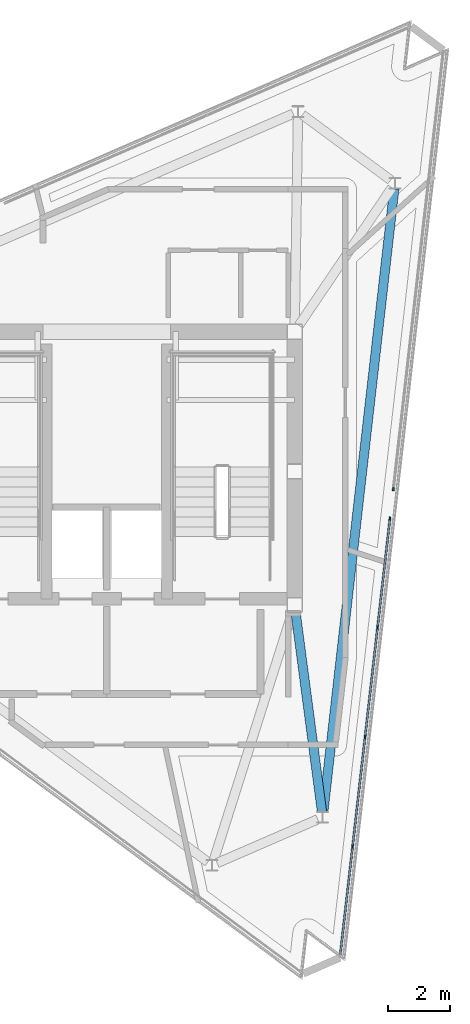
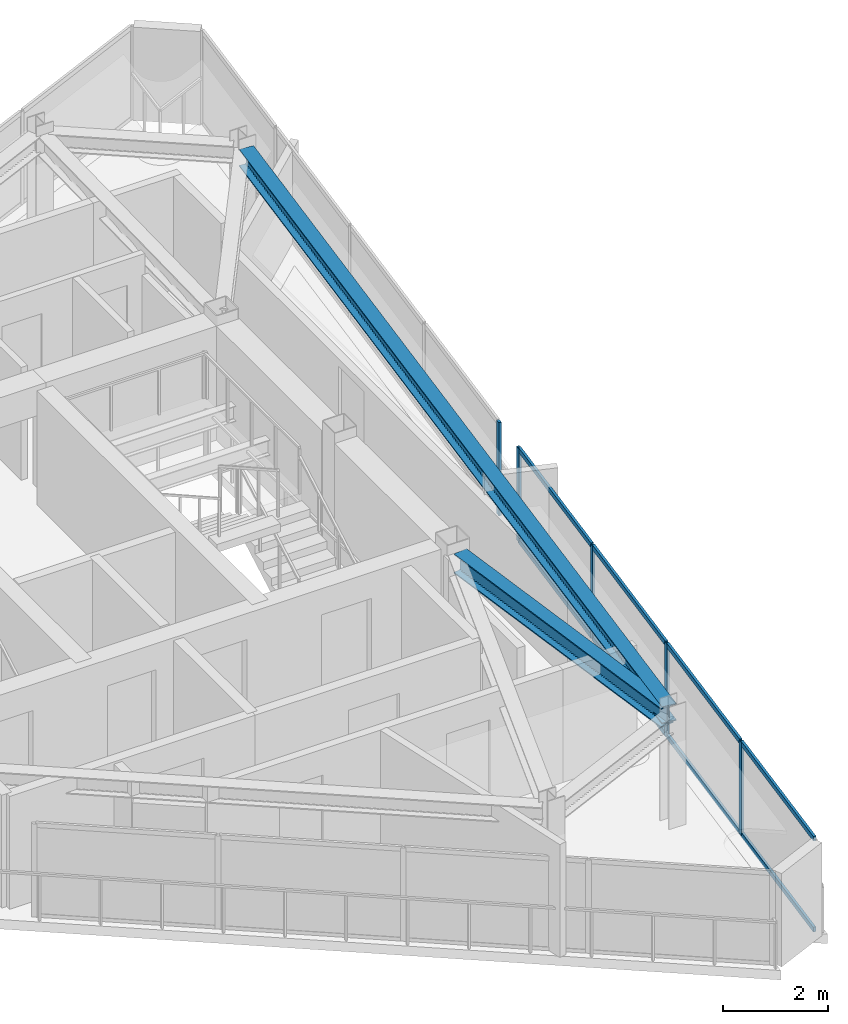
# One storey, part 3 of 9: 13 members, 2 beams, 2 elements without a shape of their own.
"""IFC4 building model written with IfcOpenShell, lengths in metres."""

from ifc_helpers import new_model, si_unit, direction, frame, origin, origin_2d, place, context, subcontext, project, spatial, rectangle, i_section, extrude, material, layer, layer_set, material_profile, profile_set, type_object, element, aggregate, save


model = new_model("IFC4")

# Units and contexts
model_context = context("Model", 3, precision=1e-05, world=origin(), true_north=direction((0.0, 1.0)))
body_context = subcontext(model_context, "Body", "Model", "MODEL_VIEW")
ifc_project = project(units=[si_unit("LENGTHUNIT", "METRE"), si_unit("AREAUNIT", "SQUARE_METRE"), si_unit("VOLUMEUNIT", "CUBIC_METRE"), si_unit("PLANEANGLEUNIT", "RADIAN"), si_unit("MASSUNIT", "GRAM", prefix="KILO")], contexts=[model_context])

# Site, building, storey
site_placement = place(None, origin())
site = spatial("IfcSite", under=ifc_project, at=site_placement, CompositionType="ELEMENT")
building_placement = place(site_placement, origin())
building = spatial("IfcBuilding", under=site, at=building_placement, Name="Rocaltana Carrier Exchange", CompositionType="ELEMENT")
storey_placement = place(building_placement, frame((0.0, 0.0, 249.1201171875)))
storey = spatial("IfcBuildingStorey", under=building, at=storey_placement, Name="L79", CompositionType="ELEMENT", Elevation=249.1201171875)

# Curtain wall, members
ifc_material_1 = material(Name="Aluminium 6063-T6", Category="aluminium")
ifc_layer = layer(ifc_material_1, 0.110107421875)
ifc_layer_set = layer_set([ifc_layer], Name="Aluminium 6063-T6")
curtain_wall_type = type_object("IfcCurtainWallType", Name="Crown Lantern Faceted Curtain Wall CW-06", PredefinedType="NOTDEFINED", material=ifc_layer_set)
curtain_wall_1_placement = place(storey_placement, origin())
curtain_wall_1 = element("IfcCurtainWall", 1, at=curtain_wall_1_placement, inside=storey, type_object=curtain_wall_type, Name="L79 CW-06 Run CW06-L79-F1S1", PredefinedType="NOTDEFINED")
ifc_material_2 = material(Name="Aluminium 6063-T6", Category="aluminium")
ifc_material_profile_1 = material_profile(ifc_material_2, rectangle(XDim=0.054931640625, YDim=0.110107421875, at=origin_2d()), Name="AL-55X110")
ifc_profile_set_1 = profile_set([ifc_material_profile_1], Name="Aluminium 6063-T6")
member_type_1 = type_object("IfcMemberType", Name="CW-06 Mullion AL-55X110", PredefinedType="MULLION", material=ifc_profile_set_1)
member_1_placement = place(storey_placement, frame((7.914794921875, -12.07373046875, 0.0), z_axis=(0.0, 0.0, 1.0), x_axis=(-0.993571723533, 0.113204373575, 0.0)))
member_1 = element("IfcMember", 2, at=member_1_placement, type_object=member_type_1, Name="CW-06 mullion 2", PredefinedType="MULLION", context=body_context, shape_type="SweptSolid", body=[
    extrude(rectangle(XDim=0.054931640625, YDim=0.110107421875, at=origin_2d()), origin(), (0.0, 0.0, 1.0), 2.16796875),
])
member_2_placement = place(storey_placement, frame((8.316650390625, -8.54638671875, 0.0), z_axis=(0.0, 0.0, 1.0), x_axis=(-0.993571723533, 0.113204373575, 0.0)))
member_2 = element("IfcMember", 3, at=member_2_placement, type_object=member_type_1, Name="CW-06 mullion 3", PredefinedType="MULLION", context=body_context, shape_type="SweptSolid", body=[
    extrude(rectangle(XDim=0.054931640625, YDim=0.110107421875, at=origin_2d()), origin(), (0.0, 0.0, 1.0), 2.16796875),
])
member_3_placement = place(storey_placement, frame((8.718505859375, -5.019287109375, 0.0), z_axis=(0.0, 0.0, 1.0), x_axis=(-0.993571723533, 0.113204373575, 0.0)))
member_3 = element("IfcMember", 4, at=member_3_placement, type_object=member_type_1, Name="CW-06 mullion 4", PredefinedType="MULLION", context=body_context, shape_type="SweptSolid", body=[
    extrude(rectangle(XDim=0.054931640625, YDim=0.110107421875, at=origin_2d()), origin(), (0.0, 0.0, 1.0), 2.16796875),
])
member_4_placement = place(storey_placement, frame((9.117431640625, -1.51953125, 0.0), z_axis=(0.0, 0.0, 1.0), x_axis=(-0.993571723533, 0.113204373575, 0.0)))
member_4 = element("IfcMember", 5, at=member_4_placement, type_object=member_type_1, Name="CW-06 mullion 5", PredefinedType="MULLION", context=body_context, shape_type="SweptSolid", body=[
    extrude(rectangle(XDim=0.054931640625, YDim=0.110107421875, at=origin_2d()), origin(), (0.0, 0.0, 1.0), 2.16796875),
])

# Curtain wall, member
curtain_wall_2_placement = place(storey_placement, origin())
curtain_wall_2 = element("IfcCurtainWall", 6, at=curtain_wall_2_placement, inside=storey, type_object=curtain_wall_type, Name="L79 CW-06 Run CW06-L79-F1S2", PredefinedType="NOTDEFINED")
member_5_placement = place(storey_placement, frame((9.2255859375, -0.570556640625, 0.0), z_axis=(0.0, 0.0, 1.0), x_axis=(-0.993571723533, 0.113204373575, 0.0)))
member_5 = element("IfcMember", 7, at=member_5_placement, type_object=member_type_1, Name="CW-06 mullion 1", PredefinedType="MULLION", context=body_context, shape_type="SweptSolid", body=[
    extrude(rectangle(XDim=0.054931640625, YDim=0.110107421875, at=origin_2d()), origin(), (0.0, 0.0, 1.0), 2.16796875),
])
aggregate(curtain_wall_2, [member_5])

# Member
ifc_material_3 = material(Name="Aluminium 6063-T6", Category="aluminium")
ifc_material_profile_2 = material_profile(ifc_material_3, rectangle(XDim=0.054931640625, YDim=0.110107421875, at=origin_2d()), Name="AL-55X110")
ifc_profile_set_2 = profile_set([ifc_material_profile_2], Name="Aluminium 6063-T6")
member_type_2 = type_object("IfcMemberType", Name="CW-06 Transom AL-55X110", PredefinedType="USERDEFINED", material=ifc_profile_set_2)
member_6_placement = place(storey_placement, frame((7.519287109375, -15.546142578125, 0.02734375), z_axis=(0.11321299265, 0.993570741465, 0.0), x_axis=(-0.993570741465, 0.11321299265, 0.0)))
member_6 = element("IfcMember", 8, at=member_6_placement, type_object=member_type_2, Name="CW-06 transom 1.1", ObjectType="TRANSOM", PredefinedType="USERDEFINED", context=body_context, shape_type="SweptSolid", body=[
    extrude(rectangle(XDim=0.054931640625, YDim=0.110107421875, at=origin_2d()), origin(), (0.0, 0.0, 1.0), 3.467529296875),
])

member_7_placement = place(storey_placement, frame((7.519287109375, -15.546142578125, 2.140380859375), z_axis=(0.11321299265, 0.993570741465, 0.0), x_axis=(-0.993570741465, 0.11321299265, 0.0)))
member_7 = element("IfcMember", 9, at=member_7_placement, type_object=member_type_2, Name="CW-06 transom 1.2", ObjectType="TRANSOM", PredefinedType="USERDEFINED", context=body_context, shape_type="SweptSolid", body=[
    extrude(rectangle(XDim=0.054931640625, YDim=0.110107421875, at=origin_2d()), origin(), (0.0, 0.0, 1.0), 3.467529296875),
])

member_8_placement = place(storey_placement, frame((7.91796875, -12.04638671875, 0.02734375), z_axis=(0.113229410796, 0.993568870552, 0.0), x_axis=(-0.993568870552, 0.113229410796, 0.0)))
member_8 = element("IfcMember", 10, at=member_8_placement, type_object=member_type_2, Name="CW-06 transom 2.1", ObjectType="TRANSOM", PredefinedType="USERDEFINED", context=body_context, shape_type="SweptSolid", body=[
    extrude(rectangle(XDim=0.054931640625, YDim=0.110107421875, at=origin_2d()), origin(), (0.0, 0.0, 1.0), 3.4951171875),
])

member_9_placement = place(storey_placement, frame((7.91796875, -12.04638671875, 2.140380859375), z_axis=(0.113229410796, 0.993568870552, 0.0), x_axis=(-0.993568870552, 0.113229410796, 0.0)))
member_9 = element("IfcMember", 11, at=member_9_placement, type_object=member_type_2, Name="CW-06 transom 2.2", ObjectType="TRANSOM", PredefinedType="USERDEFINED", context=body_context, shape_type="SweptSolid", body=[
    extrude(rectangle(XDim=0.054931640625, YDim=0.110107421875, at=origin_2d()), origin(), (0.0, 0.0, 1.0), 3.4951171875),
])

member_10_placement = place(storey_placement, frame((8.31982421875, -8.51904296875, 0.02734375), z_axis=(0.113237269726, 0.993567974899, 0.0), x_axis=(-0.993567974899, 0.113237269726, 0.0)))
member_10 = element("IfcMember", 12, at=member_10_placement, type_object=member_type_2, Name="CW-06 transom 3.1", ObjectType="TRANSOM", PredefinedType="USERDEFINED", context=body_context, shape_type="SweptSolid", body=[
    extrude(rectangle(XDim=0.054931640625, YDim=0.110107421875, at=origin_2d()), origin(), (0.0, 0.0, 1.0), 3.494873046875),
])

member_11_placement = place(storey_placement, frame((8.31982421875, -8.51904296875, 2.140380859375), z_axis=(0.113237269726, 0.993567974899, 0.0), x_axis=(-0.993567974899, 0.113237269726, 0.0)))
member_11 = element("IfcMember", 13, at=member_11_placement, type_object=member_type_2, Name="CW-06 transom 3.2", ObjectType="TRANSOM", PredefinedType="USERDEFINED", context=body_context, shape_type="SweptSolid", body=[
    extrude(rectangle(XDim=0.054931640625, YDim=0.110107421875, at=origin_2d()), origin(), (0.0, 0.0, 1.0), 3.494873046875),
])

member_12_placement = place(storey_placement, frame((8.7216796875, -4.991943359375, 0.02734375), z_axis=(0.11321299265, 0.993570741465, 0.0), x_axis=(-0.993570741465, 0.11321299265, 0.0)))
member_12 = element("IfcMember", 14, at=member_12_placement, type_object=member_type_2, Name="CW-06 transom 4.1", ObjectType="TRANSOM", PredefinedType="USERDEFINED", context=body_context, shape_type="SweptSolid", body=[
    extrude(rectangle(XDim=0.054931640625, YDim=0.110107421875, at=origin_2d()), origin(), (0.0, 0.0, 1.0), 3.467529296875),
])

member_13_placement = place(storey_placement, frame((8.7216796875, -4.991943359375, 2.140380859375), z_axis=(0.11321299265, 0.993570741465, 0.0), x_axis=(-0.993570741465, 0.11321299265, 0.0)))
member_13 = element("IfcMember", 15, at=member_13_placement, type_object=member_type_2, Name="CW-06 transom 4.2", ObjectType="TRANSOM", PredefinedType="USERDEFINED", context=body_context, shape_type="SweptSolid", body=[
    extrude(rectangle(XDim=0.054931640625, YDim=0.110107421875, at=origin_2d()), origin(), (0.0, 0.0, 1.0), 3.467529296875),
])

aggregate(curtain_wall_1, [member_1, member_2, member_3, member_4, member_6, member_7, member_8, member_9, member_10, member_11, member_12, member_13])

# Beams
ifc_material_4 = material(Name="Steel S460", Category="steel")
ifc_material_profile_3 = material_profile(ifc_material_4, i_section(OverallWidth=0.300048828125, OverallDepth=0.449951171875, WebThickness=0.013916015625, FlangeThickness=0.02587890625, FilletRadius=0.027099609375, at=origin_2d()), Name="HEB450")
ifc_profile_set_3 = profile_set([ifc_material_profile_3], Name="Steel S460")
beam_type_1 = type_object("IfcBeamType", Name="Crown Frame Rafter HEB450", PredefinedType="BEAM", material=ifc_profile_set_3)
beam_1_placement = place(storey_placement, frame((6.081787109375, -4.539794921875, 2.4228515625), z_axis=(0.131160183144, -0.991361188648, 0.0), x_axis=(0.991361188648, 0.131160183144, 0.0)))
element("IfcBeam", 16, at=beam_1_placement, inside=storey, type_object=beam_type_1, Name="CRG-RAD-L79-01", PredefinedType="BEAM", context=body_context, shape_type="SweptSolid", body=[
    extrude(i_section(OverallWidth=0.300048828125, OverallDepth=0.449951171875, WebThickness=0.013916015625, FlangeThickness=0.02587890625, FilletRadius=0.027099609375, at=origin_2d()), origin(), (0.0, 0.0, 1.0), 6.47021484375),
])
ifc_material_5 = material(Name="Steel S460", Category="steel")
ifc_material_profile_4 = material_profile(ifc_material_5, i_section(OverallWidth=0.300048828125, OverallDepth=0.39990234375, WebThickness=0.013427734375, FlangeThickness=0.02392578125, FilletRadius=0.027099609375, at=origin_2d()), Name="HEB400")
ifc_profile_set_4 = profile_set([ifc_material_profile_4], Name="Steel S460")
beam_type_2 = type_object("IfcBeamType", Name="Crown Ring Beam HEB400", PredefinedType="BEAM", material=ifc_profile_set_4)
beam_2_placement = place(storey_placement, frame((6.972900390625, -10.95361328125, 2.447998046875), z_axis=(0.113206536155, 0.993571477133, 0.0), x_axis=(-0.993571477133, 0.113206536155, 0.0)))
element("IfcBeam", 17, at=beam_2_placement, inside=storey, type_object=beam_type_2, Name="CRG-RING-L79-01", PredefinedType="BEAM", context=body_context, shape_type="SweptSolid", body=[
    extrude(i_section(OverallWidth=0.300048828125, OverallDepth=0.39990234375, WebThickness=0.013427734375, FlangeThickness=0.02392578125, FilletRadius=0.027099609375, at=origin_2d()), origin(), (0.0, 0.0, 1.0), 20.18798828125),
])

save(model, "model.ifc")
